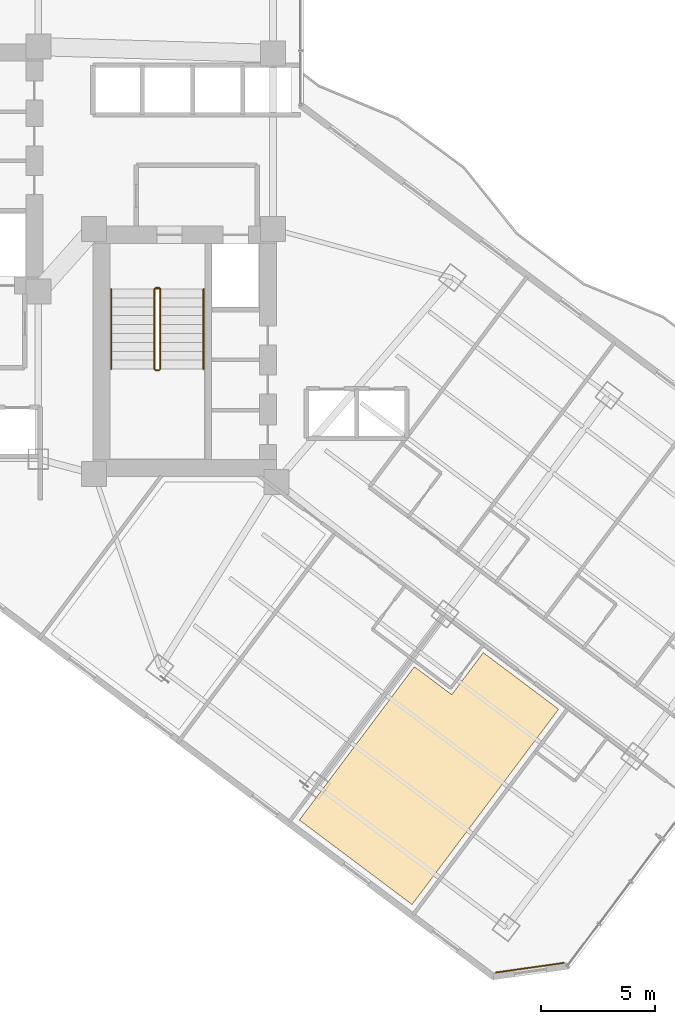
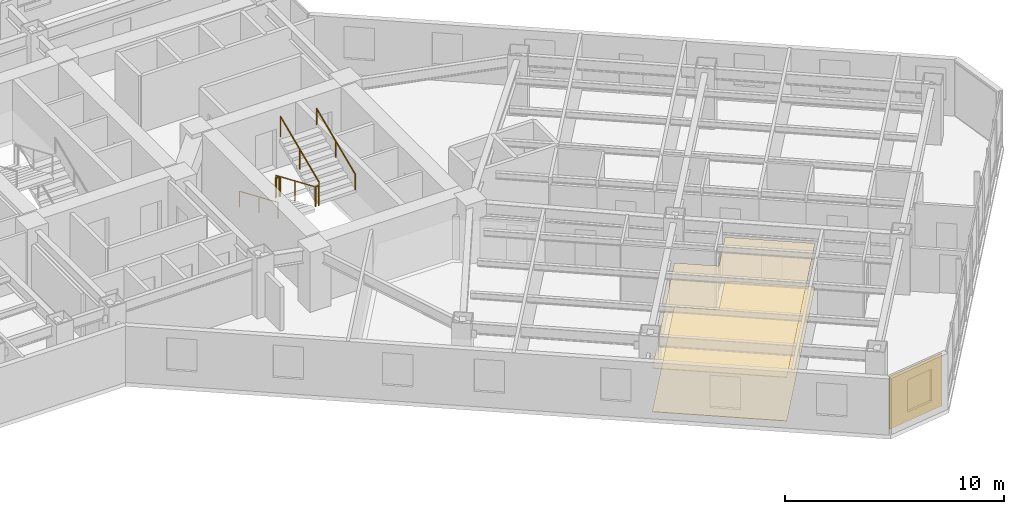
# One storey, part 28 of 31: 7 railings, 3 coverings.
"""IFC4 building model written with IfcOpenShell, lengths in metres."""

from ifc_helpers import new_model, si_unit, direction, frame, origin, origin_2d, place, context, subcontext, project, spatial, polyline, rectangle, circle, outline, extrude, material, layer, layer_set, type_object, element, save


model = new_model("IFC4")

# Units and contexts
model_context = context("Model", 3, precision=1e-05, world=origin(), true_north=direction((0.0, 1.0)))
body_context = subcontext(model_context, "Body", "Model", "MODEL_VIEW")
ifc_project = project(units=[si_unit("LENGTHUNIT", "METRE"), si_unit("AREAUNIT", "SQUARE_METRE"), si_unit("VOLUMEUNIT", "CUBIC_METRE"), si_unit("PLANEANGLEUNIT", "RADIAN"), si_unit("MASSUNIT", "GRAM", prefix="KILO")], contexts=[model_context])

# Site, building, storey
site_placement = place(None, origin())
site = spatial("IfcSite", under=ifc_project, at=site_placement, CompositionType="ELEMENT")
building_placement = place(site_placement, origin())
building = spatial("IfcBuilding", under=site, at=building_placement, Name="Hatsunagi Terrace Concourse", CompositionType="ELEMENT")
storey_placement = place(building_placement, frame((0.0, 0.0, 81.300048828125)))
storey = spatial("IfcBuildingStorey", under=building, at=storey_placement, Name="L21", CompositionType="ELEMENT", Elevation=81.300048828125)

# Covering
ifc_material_1 = material(Name="Granite stone paving", Category="masonry")
ifc_layer_1 = layer(ifc_material_1, 0.02490234375)
ifc_layer_set_1 = layer_set([ifc_layer_1], Name="GraniteStoneFlooring_25")
covering_type_1 = type_object("IfcCoveringType", Name="GraniteStoneFlooring_25", PredefinedType="FLOORING", material=ifc_layer_set_1)
covering_1_placement = place(storey_placement, origin())
element("IfcCovering", 1, at=covering_1_placement, inside=storey, type_object=covering_type_1, Name="Finished Flooring L21-2", PredefinedType="FLOORING", context=body_context, shape_type="SweptSolid", body=[
    extrude(outline(polyline([(49.75, 5.64990234375), (56.181884765625, 14.22607421875), (52.8759765625, 16.705078125), (51.491943359375, 14.862060546875), (49.85302734375, 16.087890625), (44.805908203125, 9.35791015625), (49.75, 5.64990234375)])), origin(), (0.0, 0.0, 1.0), 0.02490234375),
])

# Railings
ifc_material_2 = material(Name="Stainless steel", Category="steel")
ifc_layer_2 = layer(ifc_material_2, 0.044921875)
ifc_layer_set_2 = layer_set([ifc_layer_2], Name="StairPitchHandrail_Tower2000")
railing_type_1 = type_object("IfcRailingType", Name="StairPitchHandrail_Tower2000", PredefinedType="HANDRAIL", material=ifc_layer_set_2)
railing_1_placement = place(storey_placement, frame((36.550048828125, 32.659912109375, 0.16748046875)))
element("IfcRailing", 2, at=railing_1_placement, inside=storey, type_object=railing_type_1, Name="L21 ST-B stair handrail 1", PredefinedType="HANDRAIL", context=body_context, shape_type="SweptSolid", body=[
    extrude(circle(Radius=0.02392578125, at=origin_2d()), frame((0.0, 0.0, 0.8759765625), z_axis=(0.0, -0.918834009242, 0.394644223904), x_axis=(1.0, 0.0, 0.0)), (0.0, 0.0, 1.0), 3.820068359375),
    extrude(circle(Radius=0.02099609375, at=origin_2d()), origin(), (0.0, 0.0, 1.0), 0.851806640625),
    extrude(circle(Radius=0.02099609375, at=origin_2d()), frame((0.0, -1.7548828125, 0.75390625)), (0.0, 0.0, 1.0), 0.851806640625),
    extrude(circle(Radius=0.02099609375, at=origin_2d()), frame((0.0, -3.510009765625, 1.507568359375)), (0.0, 0.0, 1.0), 0.851806640625),
])
railing_2_placement = place(storey_placement, frame((40.60009765625, 29.14990234375, 1.842529296875)))
element("IfcRailing", 3, at=railing_2_placement, inside=storey, type_object=railing_type_1, Name="L21 ST-B stair handrail 2", PredefinedType="HANDRAIL", context=body_context, shape_type="SweptSolid", body=[
    extrude(circle(Radius=0.02392578125, at=origin_2d()), frame((0.0, 0.0, 0.8759765625), z_axis=(0.0, 0.918857182807, 0.394590265469), x_axis=(-1.0, 0.0, 0.0)), (0.0, 0.0, 1.0), 3.820068359375),
    extrude(circle(Radius=0.02099609375, at=origin_2d()), origin(), (0.0, 0.0, 1.0), 0.851806640625),
    extrude(circle(Radius=0.02099609375, at=origin_2d()), frame((0.0, 1.7548828125, 0.753662109375)), (0.0, 0.0, 1.0), 0.851806640625),
    extrude(circle(Radius=0.02099609375, at=origin_2d()), frame((0.0, 3.510009765625, 1.50732421875)), (0.0, 0.0, 1.0), 0.851806640625),
])
ifc_material_3 = material(Name="Stainless steel", Category="steel")
ifc_layer_3 = layer(ifc_material_3, 0.06005859375)
ifc_layer_set_3 = layer_set([ifc_layer_3], Name="StairWellGuard_Tower2000")
railing_type_2 = type_object("IfcRailingType", Name="StairWellGuard_Tower2000", PredefinedType="BALUSTRADE", material=ifc_layer_set_3)
railing_3_placement = place(storey_placement, frame((38.449951171875, 32.659912109375, 0.16748046875)))
element("IfcRailing", 4, at=railing_3_placement, inside=storey, type_object=railing_type_2, Name="L21 ST-B stair guard 1", PredefinedType="BALUSTRADE", context=body_context, shape_type="SweptSolid", body=[
    extrude(circle(Radius=0.02392578125, at=origin_2d()), frame((0.0, 0.0, 1.09619140625), z_axis=(0.0, -0.918834009242, 0.394644223904), x_axis=(1.0, 0.0, 0.0)), (0.0, 0.0, 1.0), 3.820068359375),
    extrude(circle(Radius=0.02099609375, at=origin_2d()), origin(), (0.0, 0.0, 1.0), 1.072021484375),
    extrude(circle(Radius=0.02099609375, at=origin_2d()), frame((0.0, -1.7548828125, 0.75390625)), (0.0, 0.0, 1.0), 1.072021484375),
    extrude(circle(Radius=0.02099609375, at=origin_2d()), frame((0.0, -3.510009765625, 1.507568359375)), (0.0, 0.0, 1.0), 1.072021484375),
])
railing_4_placement = place(storey_placement, frame((38.5, 29.10009765625, 1.675048828125)))
element("IfcRailing", 5, at=railing_4_placement, inside=storey, type_object=railing_type_2, Name="L21 ST-B stair guard 2", PredefinedType="BALUSTRADE", context=body_context, shape_type="SweptSolid", body=[
    extrude(circle(Radius=0.02392578125, at=origin_2d()), frame((0.0, 0.0, 1.09619140625), z_axis=(1.0, 0.0, 0.0), x_axis=(0.0, 1.0, 0.0)), (0.0, 0.0, 1.0), 0.14990234375),
    extrude(circle(Radius=0.02099609375, at=origin_2d()), origin(), (0.0, 0.0, 1.0), 1.072021484375),
    extrude(circle(Radius=0.02099609375, at=origin_2d()), frame((0.14990234375, 0.0, 0.0)), (0.0, 0.0, 1.0), 1.072021484375),
])
railing_5_placement = place(storey_placement, frame((38.699951171875, 29.14990234375, 1.842529296875)))
element("IfcRailing", 6, at=railing_5_placement, inside=storey, type_object=railing_type_2, Name="L21 ST-B stair guard 3", PredefinedType="BALUSTRADE", context=body_context, shape_type="SweptSolid", body=[
    extrude(circle(Radius=0.02392578125, at=origin_2d()), frame((0.0, 0.0, 1.09619140625), z_axis=(0.0, 0.918857182807, 0.394590265469), x_axis=(-1.0, 0.0, 0.0)), (0.0, 0.0, 1.0), 3.820068359375),
    extrude(circle(Radius=0.02099609375, at=origin_2d()), origin(), (0.0, 0.0, 1.0), 1.072021484375),
    extrude(circle(Radius=0.02099609375, at=origin_2d()), frame((0.0, 1.7548828125, 0.753662109375)), (0.0, 0.0, 1.0), 1.072021484375),
    extrude(circle(Radius=0.02099609375, at=origin_2d()), frame((0.0, 3.510009765625, 1.50732421875)), (0.0, 0.0, 1.0), 1.072021484375),
])
railing_6_placement = place(storey_placement, frame((38.5, 32.7099609375, 0.0)))
element("IfcRailing", 7, at=railing_6_placement, inside=storey, type_object=railing_type_2, Name="L21 ST-B stair guard 4", PredefinedType="BALUSTRADE", context=body_context, shape_type="SweptSolid", body=[
    extrude(circle(Radius=0.02392578125, at=origin_2d()), frame((0.0, 0.0, 1.09619140625), z_axis=(1.0, 0.0, 0.0), x_axis=(0.0, 1.0, 0.0)), (0.0, 0.0, 1.0), 0.14990234375),
    extrude(circle(Radius=0.02099609375, at=origin_2d()), origin(), (0.0, 0.0, 1.0), 1.072021484375),
    extrude(circle(Radius=0.02099609375, at=origin_2d()), frame((0.14990234375, 0.0, 0.0)), (0.0, 0.0, 1.0), 1.072021484375),
])
ifc_material_4 = material(Name="Stainless Steel SUS316 Post-and-Rail Guard", Category="steel")
ifc_layer_4 = layer(ifc_material_4, 0.080078125)
ifc_layer_set_4 = layer_set([ifc_layer_4], Name="TerracePlantedGuardRail_1200")
railing_type_3 = type_object("IfcRailingType", Name="TerracePlantedGuardRail_1200", PredefinedType="GUARDRAIL", material=ifc_layer_set_4)
railing_7_placement = place(storey_placement, frame((38.449951171875, 32.679931640625, 0.0)))
element("IfcRailing", 8, at=railing_7_placement, inside=storey, type_object=railing_type_3, Name="Stair ST-B Well Closure Guard L21", PredefinedType="GUARDRAIL", context=body_context, shape_type="SweptSolid", body=[
    extrude(circle(Radius=0.02392578125, at=origin_2d()), frame((0.0, 0.0, 1.09619140625), z_axis=(1.0, 0.0, 0.0), x_axis=(0.0, 1.0, 0.0)), (0.0, 0.0, 1.0), 0.25),
    extrude(circle(Radius=0.02099609375, at=origin_2d()), origin(), (0.0, 0.0, 1.0), 1.072021484375),
    extrude(circle(Radius=0.02099609375, at=origin_2d()), frame((0.25, 0.0, 0.0)), (0.0, 0.0, 1.0), 1.072021484375),
])

# Coverings
ifc_material_5 = material(Name="Unglazed Warm Terracotta Rainscreen Tile", Category="masonry")
ifc_layer_5 = layer(ifc_material_5, 0.044921875)
ifc_layer_set_5 = layer_set([ifc_layer_5], Name="TerracottaRainscreenCladding_45")
covering_type_2 = type_object("IfcCoveringType", Name="TerracottaRainscreenCladding_45", PredefinedType="CLADDING", material=ifc_layer_set_5)
covering_2_placement = place(storey_placement, frame((54.91796875, 2.87890625, 0.10009765625), z_axis=(0.0, 0.0, 1.0), x_axis=(-0.989973920543, -0.141250262458, 0.0)))
element("IfcCovering", 9, at=covering_2_placement, inside=storey, type_object=covering_type_2, Name="Terracotta Rainscreen Cladding L21-04", PredefinedType="CLADDING", context=body_context, shape_type="SweptSolid", body=[
    extrude(rectangle(XDim=3.0380859375, YDim=0.044921875, at=origin_2d()), origin(), (0.0, 0.0, 1.0), 2.929931640625),
])
ifc_material_6 = material(Name="Hardwood timber", Category="wood")
ifc_layer_6 = layer(ifc_material_6, 0.034912109375)
ifc_layer_set_6 = layer_set([ifc_layer_6], Name="TimberBaffleCeiling_35")
covering_type_3 = type_object("IfcCoveringType", Name="TimberBaffleCeiling_35", PredefinedType="CEILING", material=ifc_layer_set_6)
covering_3_placement = place(storey_placement, frame((0.0, 0.0, 2.419921875)))
element("IfcCovering", 10, at=covering_3_placement, inside=storey, type_object=covering_type_3, Name="Suspended Ceiling L21-2", PredefinedType="CEILING", context=body_context, shape_type="SweptSolid", body=[
    extrude(outline(polyline([(49.75, 5.64990234375), (56.181884765625, 14.22607421875), (52.8759765625, 16.705078125), (51.491943359375, 14.862060546875), (49.85302734375, 16.087890625), (44.805908203125, 9.35791015625), (49.75, 5.64990234375)])), origin(), (0.0, 0.0, 1.0), 0.034912109375),
])

save(model, "model.ifc")
